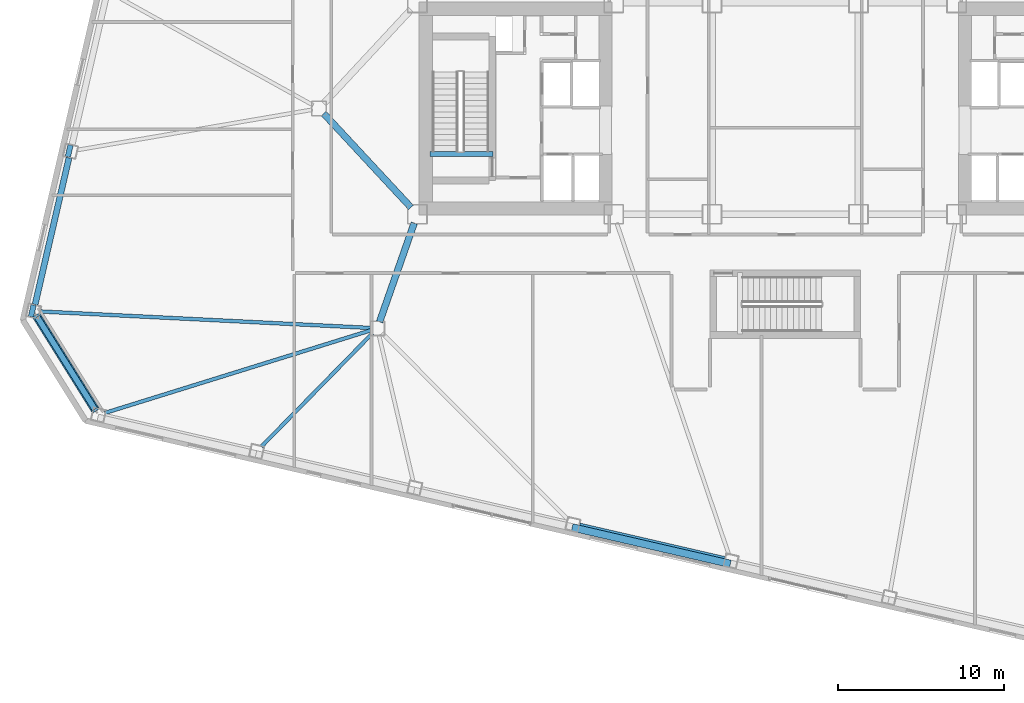
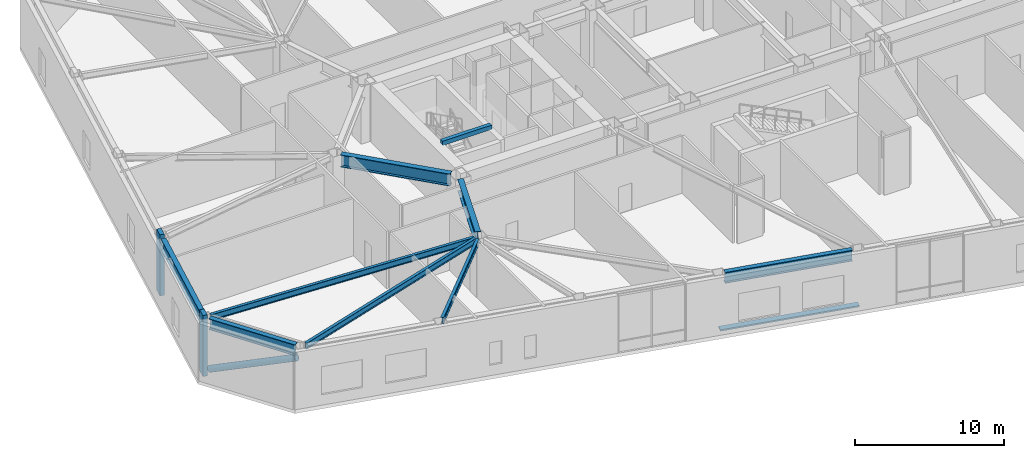
# One storey, part 3 of 21: 9 beams, 4 members.
"""IFC4 building model written with IfcOpenShell, lengths in metres."""

from ifc_helpers import new_model, si_unit, direction, frame, origin, origin_2d, place, context, subcontext, project, spatial, rectangle, hollow_circle, i_section, extrude, material, material_profile, profile_set, type_object, element, save


model = new_model("IFC4")

# Units and contexts
model_context = context("Model", 3, precision=1e-05, world=origin(), true_north=direction((0.0, 1.0)))
body_context = subcontext(model_context, "Body", "Model", "MODEL_VIEW")
ifc_project = project(units=[si_unit("LENGTHUNIT", "METRE"), si_unit("AREAUNIT", "SQUARE_METRE"), si_unit("VOLUMEUNIT", "CUBIC_METRE"), si_unit("PLANEANGLEUNIT", "RADIAN"), si_unit("MASSUNIT", "GRAM", prefix="KILO")], contexts=[model_context])

# Site, building, storey
site_placement = place(None, origin())
site = spatial("IfcSite", under=ifc_project, at=site_placement, CompositionType="ELEMENT")
building_placement = place(site_placement, origin())
building = spatial("IfcBuilding", under=site, at=building_placement, Name="Tavrogorsk Clinical Tower", CompositionType="ELEMENT")
storey_placement = place(building_placement, frame((0.0, 0.0, 8.39990234375)))
storey = spatial("IfcBuildingStorey", under=building, at=storey_placement, Name="L01", CompositionType="ELEMENT", Elevation=8.39990234375)

# Members
ifc_material_1 = material(Name="Anodised aluminium alloy AW-6063", Category="aluminium")
ifc_material_profile_1 = material_profile(ifc_material_1, rectangle(XDim=0.449951171875, YDim=0.1201171875, at=origin_2d()), Name="ALU-SUNSHADE-450x120")
ifc_profile_set_1 = profile_set([ifc_material_profile_1], Name="Anodised aluminium alloy AW-6063")
member_type_1 = type_object("IfcMemberType", Name="ChicagoSunshade_450x120", PredefinedType="USERDEFINED", material=ifc_profile_set_1)
member_1_placement = place(storey_placement, frame((-12.795654296875, -25.16015625, 0.18017578125), z_axis=(0.974366709214, -0.224965588425, 0.0), x_axis=(0.224965588425, 0.974366709214, 0.0)))
element("IfcMember", 1, at=member_1_placement, inside=storey, type_object=member_type_1, Name="L01 South Aluminium Sunshade S4", ObjectType="SUNSHADE", PredefinedType="USERDEFINED", context=body_context, shape_type="SweptSolid", body=[
    extrude(rectangle(XDim=0.449951171875, YDim=0.1201171875, at=origin_2d()), origin(), (0.0, 0.0, 1.0), 9.748779296875),
])
ifc_material_2 = material(Name="Structural steel S440", Category="steel")
ifc_material_profile_2 = material_profile(ifc_material_2, hollow_circle(Radius=0.25390625, WallThickness=0.02001953125, at=origin_2d()), Name="CHS-508x20")
ifc_profile_set_2 = profile_set([ifc_material_profile_2], Name="Structural steel S440")
member_type_2 = type_object("IfcMemberType", Name="ExoBrace_CHS508", PredefinedType="BRACE", material=ifc_profile_set_2)
member_2_placement = place(storey_placement, frame((-44.95263671875, -12.482666015625, 0.473388671875), z_axis=(0.479751319544, -0.767755802758, 0.424723084758), x_axis=(0.848045987146, 0.529922639341, 0.0)))
element("IfcMember", 2, at=member_2_placement, inside=storey, type_object=member_type_2, Name="L01 Corner Exoskeleton Brace W5-S1", PredefinedType="BRACE", context=body_context, shape_type="SweptSolid", body=[
    extrude(hollow_circle(Radius=0.25390625, WallThickness=0.02001953125, at=origin_2d()), origin(), (0.0, 0.0, 1.0), 7.30712890625),
])

# Beams
ifc_material_3 = material(Name="Structural steel S355", Category="steel")
ifc_material_profile_3 = material_profile(ifc_material_3, i_section(OverallWidth=0.219970703125, OverallDepth=0.5, WebThickness=0.012939453125, FlangeThickness=0.02001953125, at=origin_2d()), Name="B-500x220x13x20")
ifc_profile_set_3 = profile_set([ifc_material_profile_3], Name="Structural steel S355")
beam_type_1 = type_object("IfcBeamType", Name="FloorBeam_B500", PredefinedType="BEAM", material=ifc_profile_set_3)
beam_1_placement = place(storey_placement, frame((-24.8916015625, -13.32177734375, 4.4501953125), z_axis=(-0.954946638684, -0.296777555193, 0.0), x_axis=(0.296777555193, -0.954946638684, 0.0)))
element("IfcBeam", 3, at=beam_1_placement, inside=storey, type_object=beam_type_1, Name="L01 Radial Floor Beam S1", PredefinedType="BEAM", context=body_context, shape_type="SweptSolid", body=[
    extrude(i_section(OverallWidth=0.219970703125, OverallDepth=0.5, WebThickness=0.012939453125, FlangeThickness=0.02001953125, at=origin_2d()), origin(), (0.0, 0.0, 1.0), 16.723388671875),
])
beam_2_placement = place(storey_placement, frame((-24.787109375, -13.492919921875, 4.4501953125), z_axis=(-0.699997226081, -0.714145561828, 0.0), x_axis=(0.714145561828, -0.699997226081, 0.0)))
element("IfcBeam", 4, at=beam_2_placement, inside=storey, type_object=beam_type_1, Name="L01 Radial Floor Beam S2", PredefinedType="BEAM", context=body_context, shape_type="SweptSolid", body=[
    extrude(i_section(OverallWidth=0.219970703125, OverallDepth=0.5, WebThickness=0.012939453125, FlangeThickness=0.02001953125, at=origin_2d()), origin(), (0.0, 0.0, 1.0), 9.54248046875),
])
beam_3_placement = place(storey_placement, frame((-24.909423828125, -13.179443359375, 4.4501953125), z_axis=(-0.998757515428, 0.049833978136, 0.0), x_axis=(-0.049833978136, -0.998757515428, 0.0)))
element("IfcBeam", 5, at=beam_3_placement, inside=storey, type_object=beam_type_1, Name="L01 Radial Floor Beam W5", PredefinedType="BEAM", context=body_context, shape_type="SweptSolid", body=[
    extrude(i_section(OverallWidth=0.219970703125, OverallDepth=0.5, WebThickness=0.012939453125, FlangeThickness=0.02001953125, at=origin_2d()), origin(), (0.0, 0.0, 1.0), 19.85595703125),
])

# Members
ifc_material_4 = material(Name="Precast concrete B45 with limestone cladding", Category="masonry")
ifc_material_profile_4 = material_profile(ifc_material_4, rectangle(XDim=0.320068359375, YDim=0.719970703125, at=origin_2d()), Name="LIMESTONE-FIN-320x720")
ifc_profile_set_4 = profile_set([ifc_material_profile_4], Name="Precast concrete B45 with limestone cladding")
member_type_3 = type_object("IfcMemberType", Name="LimestonePleatFin_320x720", PredefinedType="USERDEFINED", material=ifc_profile_set_4)
for number, where, z_axis, x_axis, name in (
    (6, (-43.008056640625, -2.544189453125, 0.0), (0.0, 0.0, 1.0), (0.974370064785, -0.224951054344, 0.0), "L01 W Pleated Stone Fin 3"),
    (7, (-45.226318359375, -12.151611328125, 0.0), (0.0, 0.0, 1.0), (0.974370064785, -0.224951054344, 0.0), "L01 W Pleated Stone Fin 4"),
):
    element("IfcMember", number, at=place(storey_placement, frame(where, z_axis=z_axis, x_axis=x_axis)), inside=storey, type_object=member_type_3, Name=name, ObjectType="FIN", PredefinedType="USERDEFINED", context=body_context, shape_type="SweptSolid", body=[
        extrude(rectangle(XDim=0.320068359375, YDim=0.719970703125, at=origin_2d()), origin(), (0.0, 0.0, 1.0), 5.0),
    ])

# Beams
ifc_material_5 = material(Name="Concrete B60", Category="concrete")
ifc_material_profile_5 = material_profile(ifc_material_5, rectangle(XDim=0.300048828125, YDim=0.35009765625, at=origin_2d()), Name="RC-SHB-300x350")
ifc_profile_set_5 = profile_set([ifc_material_profile_5], Name="Concrete B60")
beam_type_2 = type_object("IfcBeamType", Name="StairHeaderBeam_RC300x350", PredefinedType="BEAM", material=ifc_profile_set_5)
beam_4_placement = place(storey_placement, frame((-21.35009765625, -2.719970703125, 4.8251953125), z_axis=(1.0, 0.0, 0.0), x_axis=(0.0, 1.0, 0.0)))
element("IfcBeam", 8, at=beam_4_placement, inside=storey, type_object=beam_type_2, Name="L02 ST-W Landing Header Beam", PredefinedType="BEAM", context=body_context, shape_type="SweptSolid", body=[
    extrude(rectangle(XDim=0.300048828125, YDim=0.35009765625, at=origin_2d()), origin(), (0.0, 0.0, 1.0), 3.800048828125),
])
ifc_material_6 = material(Name="Structural steel S440", Category="steel")
ifc_material_profile_6 = material_profile(ifc_material_6, i_section(OverallWidth=0.39990234375, OverallDepth=1.0, WebThickness=0.028076171875, FlangeThickness=0.044921875, at=origin_2d()), Name="DK-1000x400x28x45")
ifc_profile_set_6 = profile_set([ifc_material_profile_6], Name="Structural steel S440")
beam_type_3 = type_object("IfcBeamType", Name="TransferGirder_DK1000", PredefinedType="USERDEFINED", material=ifc_profile_set_6)
beam_5_placement = place(storey_placement, frame((-24.364501953125, -12.81298828125, 4.2001953125), z_axis=(0.330668611543, 0.943746930771, 0.0), x_axis=(-0.943746930771, 0.330668611543, 0.0)))
element("IfcBeam", 9, at=beam_5_placement, inside=storey, type_object=beam_type_3, Name="L01 Spine Link Girder OPG-1", ObjectType="GIRDER", PredefinedType="USERDEFINED", context=body_context, shape_type="SweptSolid", body=[
    extrude(i_section(OverallWidth=0.39990234375, OverallDepth=1.0, WebThickness=0.028076171875, FlangeThickness=0.044921875, at=origin_2d()), origin(), (0.0, 0.0, 1.0), 6.288330078125),
])
beam_6_placement = place(storey_placement, frame((-27.720947265625, -0.30029296875, 4.2001953125), z_axis=(0.680671250221, -0.732589004233, 0.0), x_axis=(0.732589004233, 0.680671250221, 0.0)))
element("IfcBeam", 10, at=beam_6_placement, inside=storey, type_object=beam_type_3, Name="L01 Spine Link Girder OPG-5", ObjectType="GIRDER", PredefinedType="USERDEFINED", context=body_context, shape_type="SweptSolid", body=[
    extrude(i_section(OverallWidth=0.39990234375, OverallDepth=1.0, WebThickness=0.028076171875, FlangeThickness=0.044921875, at=origin_2d()), origin(), (0.0, 0.0, 1.0), 7.697998046875),
])
ifc_material_7 = material(Name="Structural steel S440", Category="steel")
ifc_material_profile_7 = material_profile(ifc_material_7, i_section(OverallWidth=0.360107421875, OverallDepth=0.89990234375, WebThickness=0.02392578125, FlangeThickness=0.0400390625, at=origin_2d()), Name="DK-900x360x24x40")
ifc_profile_set_7 = profile_set([ifc_material_profile_7], Name="Structural steel S440")
beam_type_4 = type_object("IfcBeamType", Name="TransferGirder_DK900", PredefinedType="USERDEFINED", material=ifc_profile_set_7)
beam_7_placement = place(storey_placement, frame((-12.357666015625, -25.07666015625, 4.25), z_axis=(0.974372766602, -0.224939351168, 0.0), x_axis=(0.224939351168, 0.974372766602, 0.0)))
element("IfcBeam", 11, at=beam_7_placement, inside=storey, type_object=beam_type_4, Name="L01 Perimeter Spandrel S4-S5", ObjectType="GIRDER", PredefinedType="USERDEFINED", context=body_context, shape_type="SweptSolid", body=[
    extrude(i_section(OverallWidth=0.360107421875, OverallDepth=0.89990234375, WebThickness=0.02392578125, FlangeThickness=0.0400390625, at=origin_2d()), origin(), (0.0, 0.0, 1.0), 8.9326171875),
])
beam_8_placement = place(storey_placement, frame((-43.02197265625, -2.959716796875, 4.25), z_axis=(-0.224971881043, -0.974365256328, 0.0), x_axis=(0.974365256328, -0.224971881043, 0.0)))
element("IfcBeam", 12, at=beam_8_placement, inside=storey, type_object=beam_type_4, Name="L01 Perimeter Spandrel W4-W5", ObjectType="GIRDER", PredefinedType="USERDEFINED", context=body_context, shape_type="SweptSolid", body=[
    extrude(i_section(OverallWidth=0.360107421875, OverallDepth=0.89990234375, WebThickness=0.02392578125, FlangeThickness=0.0400390625, at=origin_2d()), origin(), (0.0, 0.0, 1.0), 9.044189453125),
])
beam_9_placement = place(storey_placement, frame((-44.93212890625, -12.515380859375, 4.25), z_axis=(0.529908311255, -0.848054940238, 0.0), x_axis=(0.848054940238, 0.529908311255, 0.0)))
element("IfcBeam", 13, at=beam_9_placement, inside=storey, type_object=beam_type_4, Name="L01 Perimeter Spandrel W5-S1", ObjectType="GIRDER", PredefinedType="USERDEFINED", context=body_context, shape_type="SweptSolid", body=[
    extrude(i_section(OverallWidth=0.360107421875, OverallDepth=0.89990234375, WebThickness=0.02392578125, FlangeThickness=0.0400390625, at=origin_2d()), origin(), (0.0, 0.0, 1.0), 6.5380859375),
])

save(model, "model.ifc")
